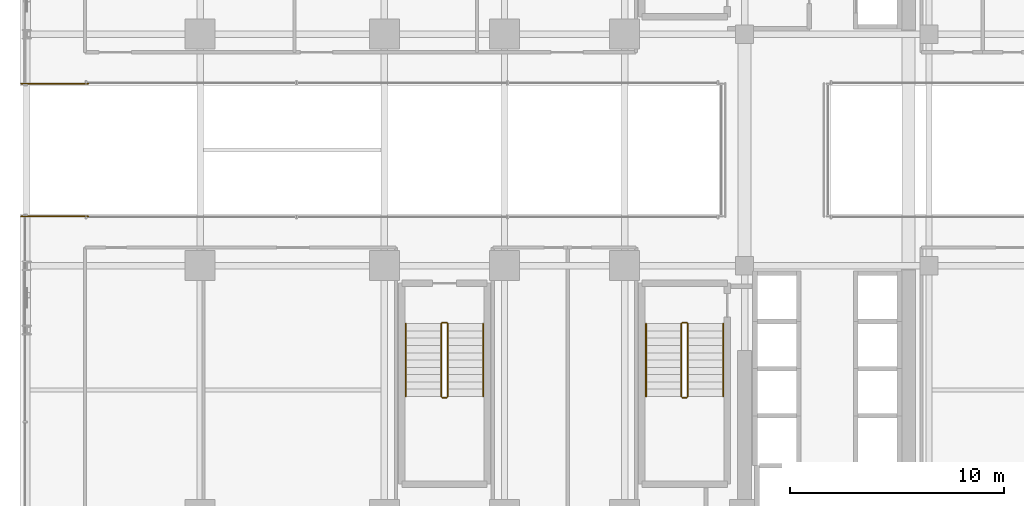
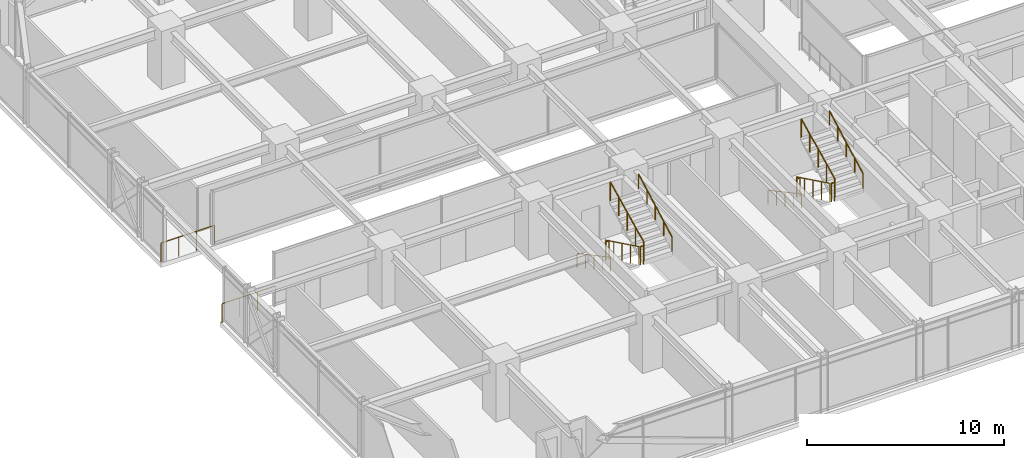
# One storey, part 44 of 47: 14 railings.
"""IFC4 building model written with IfcOpenShell, lengths in metres."""

import ifcopenshell
import ifcopenshell.guid

model = None  # the IFC model being written
_history = None  # IfcOwnerHistory: only IFC2X3 demands one
_inside = {}  # id of a spatial element -> (the spatial element, [elements in it])
_under = {}  # id of a project, library or spatial element -> (it, [spatial elements below it])
_declared = {}  # id of a project -> (the project, [libraries it declares])
_typed = {}  # id of a type object -> (the type object, [elements of that type])
_made_of = {}  # id of a material, layer set ... -> (it, [elements and type objects made of it])


def new_model(schema):
    """Start an empty IFC model of exactly this schema.

    Asked for "IFC4X3", IfcOpenShell would pick the latest addendum, in which some entities
    have other attributes; the version numbers below select the first issue.
    IFC2X3 requires an IfcOwnerHistory on every rooted entity: one is made here for all.
    """
    global model, _history
    if schema == "IFC4X3":
        model = ifcopenshell.file(schema_version=(4, 3, 0, 0))
    else:
        model = ifcopenshell.file(schema=schema)
    _inside.clear()
    _under.clear()
    _declared.clear()
    _typed.clear()
    _made_of.clear()
    _history = None
    if model.schema == "IFC2X3":
        org = make("IfcOrganization", Name="unknown")
        user = make(
            "IfcPersonAndOrganization",
            ThePerson=make("IfcPerson", FamilyName="unknown"),
            TheOrganization=org,
        )
        app = make(
            "IfcApplication",
            ApplicationDeveloper=org,
            Version="unknown",
            ApplicationFullName="unknown",
            ApplicationIdentifier="unknown",
        )
        _history = make(
            "IfcOwnerHistory",
            OwningUser=user,
            OwningApplication=app,
            ChangeAction="ADDED",
            CreationDate=0,
        )
    return model


def make(cls, **values):
    """One entity of the class cls with the attributes given. An attribute that is None is left unset."""
    return model.create_entity(
        cls, **{name: value for name, value in values.items() if value is not None}
    )


def rooted(cls, **values):
    """An entity with a GlobalId (a new one), such as an element, a storey or a relation."""
    return make(cls, GlobalId=ifcopenshell.guid.new(), OwnerHistory=_history, **values)


def si_unit(unit_type, name, prefix=None):
    """IfcSIUnit, for example si_unit("LENGTHUNIT", "METRE", prefix="MILLI")."""
    return make("IfcSIUnit", UnitType=unit_type, Prefix=prefix, Name=name)


def assignment(units):
    """IfcUnitAssignment: the units of a project."""
    return None if units is None else make("IfcUnitAssignment", Units=units)


def point(xyz):
    """IfcCartesianPoint."""
    return None if xyz is None else make("IfcCartesianPoint", Coordinates=xyz)


def direction(xyz):
    """IfcDirection."""
    return None if xyz is None else make("IfcDirection", DirectionRatios=xyz)


def frame(location, z_axis=None, x_axis=None):
    """IfcAxis2Placement3D, a coordinate frame: its origin and axes. An axis left out is left unset."""
    return make(
        "IfcAxis2Placement3D",
        Location=point(location),
        Axis=direction(z_axis),
        RefDirection=direction(x_axis),
    )


def frame_2d(location, x_axis=None):
    """IfcAxis2Placement2D, a coordinate frame in the plane: its origin and x axis."""
    return make(
        "IfcAxis2Placement2D", Location=point(location), RefDirection=direction(x_axis)
    )


def origin():
    """The frame at (0, 0, 0) with its axes left unset."""
    return frame((0.0, 0.0, 0.0))


def origin_2d():
    """The frame at (0, 0) in the plane with its x axis left unset."""
    return frame_2d((0.0, 0.0))


def place(relative_to, where):
    """IfcLocalPlacement: puts the frame where relative to a parent placement (None: the world)."""
    return make(
        "IfcLocalPlacement", PlacementRelTo=relative_to, RelativePlacement=where
    )


def context(
    kind, dimensions, precision=None, world=None, true_north=None, identifier=None
):
    """IfcGeometricRepresentationContext, for example the 3D "Model" context."""
    return make(
        "IfcGeometricRepresentationContext",
        ContextIdentifier=identifier,
        ContextType=kind,
        CoordinateSpaceDimension=dimensions,
        Precision=precision,
        WorldCoordinateSystem=world,
        TrueNorth=true_north,
    )


def subcontext(parent, identifier, kind, view, scale=None):
    """IfcGeometricRepresentationSubContext, for example "Body" below "Model"."""
    return make(
        "IfcGeometricRepresentationSubContext",
        ContextIdentifier=identifier,
        ContextType=kind,
        ParentContext=parent,
        TargetScale=scale,
        TargetView=view,
    )


def project(units=None, contexts=None):
    """IfcProject with its units and contexts."""
    return rooted(
        "IfcProject",
        Name="project",
        RepresentationContexts=contexts,
        UnitsInContext=assignment(units),
    )


def spatial(cls, under=None, at=None, **own):
    """A site, building, storey or space (cls), placed at a placement, below another one or the project."""
    s = rooted(cls, ObjectPlacement=at, **own)
    if under is not None:
        _under.setdefault(under.id(), (under, []))[1].append(s)
    return s


def profile(cls, at=None, kind="AREA", **sizes):
    """A parametric profile (cls). Its sizes go by their IFC names, for example OverallWidth=200.0."""
    return make(cls, ProfileType=kind, Position=at, **sizes)


def circle(**sizes):
    """IfcCircleProfileDef."""
    return profile("IfcCircleProfileDef", **sizes)


def extrude(swept, where, along, depth):
    """IfcExtrudedAreaSolid: the profile swept, set in the frame where, extruded along a direction by depth."""
    return make(
        "IfcExtrudedAreaSolid",
        SweptArea=swept,
        Position=where,
        ExtrudedDirection=direction(along),
        Depth=depth,
    )


def shape(context_of_items, identifier, shape_type, items):
    """IfcShapeRepresentation: the items that make up one representation, for example the "Body"."""
    return make(
        "IfcShapeRepresentation",
        ContextOfItems=context_of_items,
        RepresentationIdentifier=identifier,
        RepresentationType=shape_type,
        Items=items,
    )


def material(Name=None, Category=None):
    """IfcMaterial."""
    return make("IfcMaterial", Name=Name, Category=Category)


def made_of(thing, what):
    """Note that an element or type object is made of a material, layer set ...; save() writes the relation."""
    if what is not None:
        _made_of.setdefault(what.id(), (what, []))[1].append(thing)
    return thing


def type_object(cls, material=None, **own):
    """A type object (cls), such as IfcWallType, which elements share."""
    return made_of(rooted(cls, **own), material)


def element(
    cls,
    number,
    at=None,
    inside=None,
    cuts=None,
    type_object=None,
    material=None,
    context=None,
    identifier="Body",
    shape_type=None,
    held_by="IfcProductDefinitionShape",
    body=None,
    shapes=None,
    **own,
):
    """One element of the class cls, such as IfcWall. Its Tag is "e" and its number.

    at: its placement. inside: the storey or other place that contains it. cuts: it is an
    opening in that element (IfcRelVoidsElement). A single representation is given by context,
    identifier, shape_type and body (its items); several are given by shapes. held_by: the class
    of the entity that holds the representations. save() writes the other relations.
    """
    e = rooted(cls, Tag="e%d" % number, ObjectPlacement=at, **own)
    if body is not None:
        shapes = [shape(context, identifier, shape_type, body)]
    if shapes is not None:
        e.Representation = make(held_by, Representations=shapes)
    if inside is not None:
        _inside.setdefault(inside.id(), (inside, []))[1].append(e)
    if cuts is not None:
        rooted(
            "IfcRelVoidsElement", RelatingBuildingElement=cuts, RelatedOpeningElement=e
        )
    if type_object is not None:
        _typed.setdefault(type_object.id(), (type_object, []))[1].append(e)
    return made_of(e, material)


def aggregate(whole, parts):
    """IfcRelAggregates: a whole, such as a stair, and the parts it consists of."""
    return rooted("IfcRelAggregates", RelatingObject=whole, RelatedObjects=parts)


def save(model, path):
    """Write the relations noted so far, then the file.

    IfcRelAggregates (storeys below a building ...), IfcRelContainedInSpatialStructure (elements
    in a storey), IfcRelDefinesByType, IfcRelAssociatesMaterial and IfcRelDeclares: one each for
    every whole, place, type object, material and project.
    """
    for whole, parts in _under.values():
        aggregate(whole, parts)
    for where, things in _inside.values():
        rooted(
            "IfcRelContainedInSpatialStructure",
            RelatedElements=things,
            RelatingStructure=where,
        )
    for kind, things in _typed.values():
        rooted("IfcRelDefinesByType", RelatedObjects=things, RelatingType=kind)
    for what, things in _made_of.values():
        rooted("IfcRelAssociatesMaterial", RelatedObjects=things, RelatingMaterial=what)
    for by, libraries in _declared.values():
        rooted("IfcRelDeclares", RelatingContext=by, RelatedDefinitions=libraries)
    model.write(path)


model = new_model("IFC4")

# Units and contexts
model_context = context("Model", 3, precision=1e-05, world=origin(), true_north=direction((0.0, 1.0)))
body_context = subcontext(model_context, "Body", "Model", "MODEL_VIEW")
ifc_project = project(units=[si_unit("LENGTHUNIT", "METRE"), si_unit("AREAUNIT", "SQUARE_METRE"), si_unit("VOLUMEUNIT", "CUBIC_METRE"), si_unit("PLANEANGLEUNIT", "RADIAN"), si_unit("MASSUNIT", "GRAM", prefix="KILO")], contexts=[model_context])

# Site, building, storey
site_placement = place(None, origin())
site = spatial("IfcSite", under=ifc_project, at=site_placement, CompositionType="ELEMENT")
building_placement = place(site_placement, origin())
building = spatial("IfcBuilding", under=site, at=building_placement, Name="Nahalor Promenade Grand Hotel", CompositionType="ELEMENT")
storey_placement = place(building_placement, frame((0.0, 0.0, 68.89990234375)))
storey = spatial("IfcBuildingStorey", under=building, at=storey_placement, Name="L16", CompositionType="ELEMENT", Elevation=68.89990234375)

# Railings
ifc_material_1 = material(Name="Anodised Bronze Aluminium EN AW-6063 T6", Category="aluminium")
railing_type_1 = type_object("IfcRailingType", Name="Bronze Balcony Guardrail 1200 mm", PredefinedType="GUARDRAIL", material=ifc_material_1)
for number, where, name in (
    (1, (-25.340087890625, -3.09912109375, 0.0), "L16 Oculus Void Edge Guardrail WS"),
    (2, (-25.340087890625, 3.09912109375, 0.0), "L16 Oculus Void Edge Guardrail WN"),
):
    element("IfcRailing", number, at=place(storey_placement, frame(where)), inside=storey, type_object=railing_type_1, Name=name, PredefinedType="GUARDRAIL", context=body_context, shape_type="SweptSolid", body=[
        extrude(circle(Radius=0.024048, at=origin_2d()), frame((0.0, 0.0, 1.17578125), z_axis=(1.0, 0.0, 0.0), x_axis=(0.0, 1.0, 0.0)), (0.0, 0.0, 1.0), 3.1201171875),
        extrude(circle(Radius=0.020996, at=origin_2d()), origin(), (0.0, 0.0, 1.0), 1.14990234375),
        extrude(circle(Radius=0.020996, at=origin_2d()), frame((1.0400390625, 0.0, 0.0)), (0.0, 0.0, 1.0), 1.14990234375),
        extrude(circle(Radius=0.020996, at=origin_2d()), frame((2.080078125, 0.0, 0.0)), (0.0, 0.0, 1.0), 1.14990234375),
        extrude(circle(Radius=0.020996, at=origin_2d()), frame((3.1201171875, 0.0, 0.0)), (0.0, 0.0, 1.0), 1.14990234375),
    ])
ifc_material_2 = material(Name="Steel S355JR", Category="steel")
railing_type_2 = type_object("IfcRailingType", Name="Steel Stair Guardrail 1150 mm", PredefinedType="GUARDRAIL", material=ifc_material_2)
railing_1_placement = place(storey_placement, frame((5.449951171875, -8.10009765625, 0.166015625)))
element("IfcRailing", 3, at=railing_1_placement, inside=storey, type_object=railing_type_2, Name="L16 ST2 stair guard 1", PredefinedType="GUARDRAIL", context=body_context, shape_type="SweptSolid", body=[
    extrude(circle(Radius=0.024048, at=origin_2d()), frame((0.0, 0.0, 1.1259765625), z_axis=(0.0, -0.898696488221, 0.438571114028), x_axis=(1.0, 0.0, 0.0)), (0.0, 0.0, 1.0), 3.783203125),
    extrude(circle(Radius=0.020996, at=origin_2d()), origin(), (0.0, 0.0, 1.0), 1.099853515625),
    extrude(circle(Radius=0.020996, at=origin_2d()), frame((0.0, -0.85009765625, 0.414794921875)), (0.0, 0.0, 1.0), 1.099853515625),
    extrude(circle(Radius=0.020996, at=origin_2d()), frame((0.0, -1.699951171875, 0.82958984375)), (0.0, 0.0, 1.0), 1.099853515625),
    extrude(circle(Radius=0.020996, at=origin_2d()), frame((0.0, -2.5498046875, 1.244384765625)), (0.0, 0.0, 1.0), 1.099853515625),
    extrude(circle(Radius=0.020996, at=origin_2d()), frame((0.0, -3.39990234375, 1.6591796875)), (0.0, 0.0, 1.0), 1.099853515625),
])
railing_2_placement = place(storey_placement, frame((5.5, -11.550048828125, 1.8251953125)))
element("IfcRailing", 4, at=railing_2_placement, inside=storey, type_object=railing_type_2, Name="L16 ST2 stair guard 2", PredefinedType="GUARDRAIL", context=body_context, shape_type="SweptSolid", body=[
    extrude(circle(Radius=0.024048, at=origin_2d()), frame((0.0, 0.0, 1.1259765625), z_axis=(1.0, 0.0, 0.0), x_axis=(0.0, 1.0, 0.0)), (0.0, 0.0, 1.0), 0.199951171875),
    extrude(circle(Radius=0.020996, at=origin_2d()), origin(), (0.0, 0.0, 1.0), 1.099853515625),
    extrude(circle(Radius=0.020996, at=origin_2d()), frame((0.199951171875, 0.0, 0.0)), (0.0, 0.0, 1.0), 1.099853515625),
])
railing_3_placement = place(storey_placement, frame((5.75, -11.5, 1.990966796875)))
element("IfcRailing", 5, at=railing_3_placement, inside=storey, type_object=railing_type_2, Name="L16 ST2 stair guard 3", PredefinedType="GUARDRAIL", context=body_context, shape_type="SweptSolid", body=[
    extrude(circle(Radius=0.024048, at=origin_2d()), frame((0.0, 0.0, 1.1259765625), z_axis=(0.0, 0.898696488221, 0.438571114028), x_axis=(-1.0, 0.0, 0.0)), (0.0, 0.0, 1.0), 3.783203125),
    extrude(circle(Radius=0.020996, at=origin_2d()), origin(), (0.0, 0.0, 1.0), 1.099853515625),
    extrude(circle(Radius=0.020996, at=origin_2d()), frame((0.0, 0.85009765625, 0.414794921875)), (0.0, 0.0, 1.0), 1.099853515625),
    extrude(circle(Radius=0.020996, at=origin_2d()), frame((0.0, 1.699951171875, 0.82958984375)), (0.0, 0.0, 1.0), 1.099853515625),
    extrude(circle(Radius=0.020996, at=origin_2d()), frame((0.0, 2.5498046875, 1.244384765625)), (0.0, 0.0, 1.0), 1.099853515625),
    extrude(circle(Radius=0.020996, at=origin_2d()), frame((0.0, 3.39990234375, 1.6591796875)), (0.0, 0.0, 1.0), 1.099853515625),
])
railing_4_placement = place(storey_placement, frame((5.5, -8.050048828125, 0.0)))
element("IfcRailing", 6, at=railing_4_placement, inside=storey, type_object=railing_type_2, Name="L16 ST2 stair guard 4", PredefinedType="GUARDRAIL", context=body_context, shape_type="SweptSolid", body=[
    extrude(circle(Radius=0.024048, at=origin_2d()), frame((0.0, 0.0, 1.1259765625), z_axis=(1.0, 0.0, 0.0), x_axis=(0.0, 1.0, 0.0)), (0.0, 0.0, 1.0), 0.199951171875),
    extrude(circle(Radius=0.020996, at=origin_2d()), origin(), (0.0, 0.0, 1.0), 1.099853515625),
    extrude(circle(Radius=0.020996, at=origin_2d()), frame((0.199951171875, 0.0, 0.0)), (0.0, 0.0, 1.0), 1.099853515625),
])
railing_5_placement = place(storey_placement, frame((-5.75, -8.10009765625, 0.166015625)))
element("IfcRailing", 7, at=railing_5_placement, inside=storey, type_object=railing_type_2, Name="L16 ST3 stair guard 1", PredefinedType="GUARDRAIL", context=body_context, shape_type="SweptSolid", body=[
    extrude(circle(Radius=0.024048, at=origin_2d()), frame((0.0, 0.0, 1.1259765625), z_axis=(0.0, -0.898696488221, 0.438571114028), x_axis=(1.0, 0.0, 0.0)), (0.0, 0.0, 1.0), 3.783203125),
    extrude(circle(Radius=0.020996, at=origin_2d()), origin(), (0.0, 0.0, 1.0), 1.099853515625),
    extrude(circle(Radius=0.020996, at=origin_2d()), frame((0.0, -0.85009765625, 0.414794921875)), (0.0, 0.0, 1.0), 1.099853515625),
    extrude(circle(Radius=0.020996, at=origin_2d()), frame((0.0, -1.699951171875, 0.82958984375)), (0.0, 0.0, 1.0), 1.099853515625),
    extrude(circle(Radius=0.020996, at=origin_2d()), frame((0.0, -2.5498046875, 1.244384765625)), (0.0, 0.0, 1.0), 1.099853515625),
    extrude(circle(Radius=0.020996, at=origin_2d()), frame((0.0, -3.39990234375, 1.6591796875)), (0.0, 0.0, 1.0), 1.099853515625),
])
railing_6_placement = place(storey_placement, frame((-5.699951171875, -11.550048828125, 1.8251953125)))
element("IfcRailing", 8, at=railing_6_placement, inside=storey, type_object=railing_type_2, Name="L16 ST3 stair guard 2", PredefinedType="GUARDRAIL", context=body_context, shape_type="SweptSolid", body=[
    extrude(circle(Radius=0.024048, at=origin_2d()), frame((0.0, 0.0, 1.1259765625), z_axis=(1.0, 0.0, 0.0), x_axis=(0.0, 1.0, 0.0)), (0.0, 0.0, 1.0), 0.199951171875),
    extrude(circle(Radius=0.020996, at=origin_2d()), origin(), (0.0, 0.0, 1.0), 1.099853515625),
    extrude(circle(Radius=0.020996, at=origin_2d()), frame((0.199951171875, 0.0, 0.0)), (0.0, 0.0, 1.0), 1.099853515625),
])
railing_7_placement = place(storey_placement, frame((-5.449951171875, -11.5, 1.990966796875)))
element("IfcRailing", 9, at=railing_7_placement, inside=storey, type_object=railing_type_2, Name="L16 ST3 stair guard 3", PredefinedType="GUARDRAIL", context=body_context, shape_type="SweptSolid", body=[
    extrude(circle(Radius=0.024048, at=origin_2d()), frame((0.0, 0.0, 1.1259765625), z_axis=(0.0, 0.898696488221, 0.438571114028), x_axis=(-1.0, 0.0, 0.0)), (0.0, 0.0, 1.0), 3.783203125),
    extrude(circle(Radius=0.020996, at=origin_2d()), origin(), (0.0, 0.0, 1.0), 1.099853515625),
    extrude(circle(Radius=0.020996, at=origin_2d()), frame((0.0, 0.85009765625, 0.414794921875)), (0.0, 0.0, 1.0), 1.099853515625),
    extrude(circle(Radius=0.020996, at=origin_2d()), frame((0.0, 1.699951171875, 0.82958984375)), (0.0, 0.0, 1.0), 1.099853515625),
    extrude(circle(Radius=0.020996, at=origin_2d()), frame((0.0, 2.5498046875, 1.244384765625)), (0.0, 0.0, 1.0), 1.099853515625),
    extrude(circle(Radius=0.020996, at=origin_2d()), frame((0.0, 3.39990234375, 1.6591796875)), (0.0, 0.0, 1.0), 1.099853515625),
])
railing_8_placement = place(storey_placement, frame((-5.699951171875, -8.050048828125, 0.0)))
element("IfcRailing", 10, at=railing_8_placement, inside=storey, type_object=railing_type_2, Name="L16 ST3 stair guard 4", PredefinedType="GUARDRAIL", context=body_context, shape_type="SweptSolid", body=[
    extrude(circle(Radius=0.024048, at=origin_2d()), frame((0.0, 0.0, 1.1259765625), z_axis=(1.0, 0.0, 0.0), x_axis=(0.0, 1.0, 0.0)), (0.0, 0.0, 1.0), 0.199951171875),
    extrude(circle(Radius=0.020996, at=origin_2d()), origin(), (0.0, 0.0, 1.0), 1.099853515625),
    extrude(circle(Radius=0.020996, at=origin_2d()), frame((0.199951171875, 0.0, 0.0)), (0.0, 0.0, 1.0), 1.099853515625),
])
railing_type_3 = type_object("IfcRailingType", Name="Steel Stair Handrail 900 mm", PredefinedType="HANDRAIL", material=ifc_material_2)
railing_9_placement = place(storey_placement, frame((3.800048828125, -8.10009765625, 0.166015625)))
element("IfcRailing", 11, at=railing_9_placement, inside=storey, type_object=railing_type_3, Name="L16 ST2 stair handrail 1", PredefinedType="HANDRAIL", context=body_context, shape_type="SweptSolid", body=[
    extrude(circle(Radius=0.024048, at=origin_2d()), frame((0.0, 0.0, 0.8759765625), z_axis=(0.0, -0.881094038095, 0.47294111265), x_axis=(1.0, 0.0, 0.0)), (0.0, 0.0, 1.0), 3.858642578125),
    extrude(circle(Radius=0.020996, at=origin_2d()), origin(), (0.0, 0.0, 1.0), 0.849853515625),
    extrude(circle(Radius=0.020996, at=origin_2d()), frame((0.0, -0.85009765625, 0.456298828125)), (0.0, 0.0, 1.0), 0.849853515625),
    extrude(circle(Radius=0.020996, at=origin_2d()), frame((0.0, -1.699951171875, 0.91259765625)), (0.0, 0.0, 1.0), 0.849853515625),
    extrude(circle(Radius=0.020996, at=origin_2d()), frame((0.0, -2.5498046875, 1.36865234375)), (0.0, 0.0, 1.0), 0.849853515625),
    extrude(circle(Radius=0.020996, at=origin_2d()), frame((0.0, -3.39990234375, 1.824951171875)), (0.0, 0.0, 1.0), 0.849853515625),
])
railing_10_placement = place(storey_placement, frame((7.39990234375, -11.5, 1.990966796875)))
element("IfcRailing", 12, at=railing_10_placement, inside=storey, type_object=railing_type_3, Name="L16 ST2 stair handrail 2", PredefinedType="HANDRAIL", context=body_context, shape_type="SweptSolid", body=[
    extrude(circle(Radius=0.024048, at=origin_2d()), frame((0.0, 0.0, 0.8759765625), z_axis=(0.0, 0.881094038095, 0.47294111265), x_axis=(-1.0, 0.0, 0.0)), (0.0, 0.0, 1.0), 3.858642578125),
    extrude(circle(Radius=0.020996, at=origin_2d()), origin(), (0.0, 0.0, 1.0), 0.849853515625),
    extrude(circle(Radius=0.020996, at=origin_2d()), frame((0.0, 0.85009765625, 0.456298828125)), (0.0, 0.0, 1.0), 0.849853515625),
    extrude(circle(Radius=0.020996, at=origin_2d()), frame((0.0, 1.699951171875, 0.91259765625)), (0.0, 0.0, 1.0), 0.849853515625),
    extrude(circle(Radius=0.020996, at=origin_2d()), frame((0.0, 2.5498046875, 1.36865234375)), (0.0, 0.0, 1.0), 0.849853515625),
    extrude(circle(Radius=0.020996, at=origin_2d()), frame((0.0, 3.39990234375, 1.824951171875)), (0.0, 0.0, 1.0), 0.849853515625),
])
railing_11_placement = place(storey_placement, frame((-7.39990234375, -8.10009765625, 0.166015625)))
element("IfcRailing", 13, at=railing_11_placement, inside=storey, type_object=railing_type_3, Name="L16 ST3 stair handrail 1", PredefinedType="HANDRAIL", context=body_context, shape_type="SweptSolid", body=[
    extrude(circle(Radius=0.024048, at=origin_2d()), frame((0.0, 0.0, 0.8759765625), z_axis=(0.0, -0.881094038095, 0.47294111265), x_axis=(1.0, 0.0, 0.0)), (0.0, 0.0, 1.0), 3.858642578125),
    extrude(circle(Radius=0.020996, at=origin_2d()), origin(), (0.0, 0.0, 1.0), 0.849853515625),
    extrude(circle(Radius=0.020996, at=origin_2d()), frame((0.0, -0.85009765625, 0.456298828125)), (0.0, 0.0, 1.0), 0.849853515625),
    extrude(circle(Radius=0.020996, at=origin_2d()), frame((0.0, -1.699951171875, 0.91259765625)), (0.0, 0.0, 1.0), 0.849853515625),
    extrude(circle(Radius=0.020996, at=origin_2d()), frame((0.0, -2.5498046875, 1.36865234375)), (0.0, 0.0, 1.0), 0.849853515625),
    extrude(circle(Radius=0.020996, at=origin_2d()), frame((0.0, -3.39990234375, 1.824951171875)), (0.0, 0.0, 1.0), 0.849853515625),
])
railing_12_placement = place(storey_placement, frame((-3.800048828125, -11.5, 1.990966796875)))
element("IfcRailing", 14, at=railing_12_placement, inside=storey, type_object=railing_type_3, Name="L16 ST3 stair handrail 2", PredefinedType="HANDRAIL", context=body_context, shape_type="SweptSolid", body=[
    extrude(circle(Radius=0.024048, at=origin_2d()), frame((0.0, 0.0, 0.8759765625), z_axis=(0.0, 0.881094038095, 0.47294111265), x_axis=(-1.0, 0.0, 0.0)), (0.0, 0.0, 1.0), 3.858642578125),
    extrude(circle(Radius=0.020996, at=origin_2d()), origin(), (0.0, 0.0, 1.0), 0.849853515625),
    extrude(circle(Radius=0.020996, at=origin_2d()), frame((0.0, 0.85009765625, 0.456298828125)), (0.0, 0.0, 1.0), 0.849853515625),
    extrude(circle(Radius=0.020996, at=origin_2d()), frame((0.0, 1.699951171875, 0.91259765625)), (0.0, 0.0, 1.0), 0.849853515625),
    extrude(circle(Radius=0.020996, at=origin_2d()), frame((0.0, 2.5498046875, 1.36865234375)), (0.0, 0.0, 1.0), 0.849853515625),
    extrude(circle(Radius=0.020996, at=origin_2d()), frame((0.0, 3.39990234375, 1.824951171875)), (0.0, 0.0, 1.0), 0.849853515625),
])

save(model, "model.ifc")
